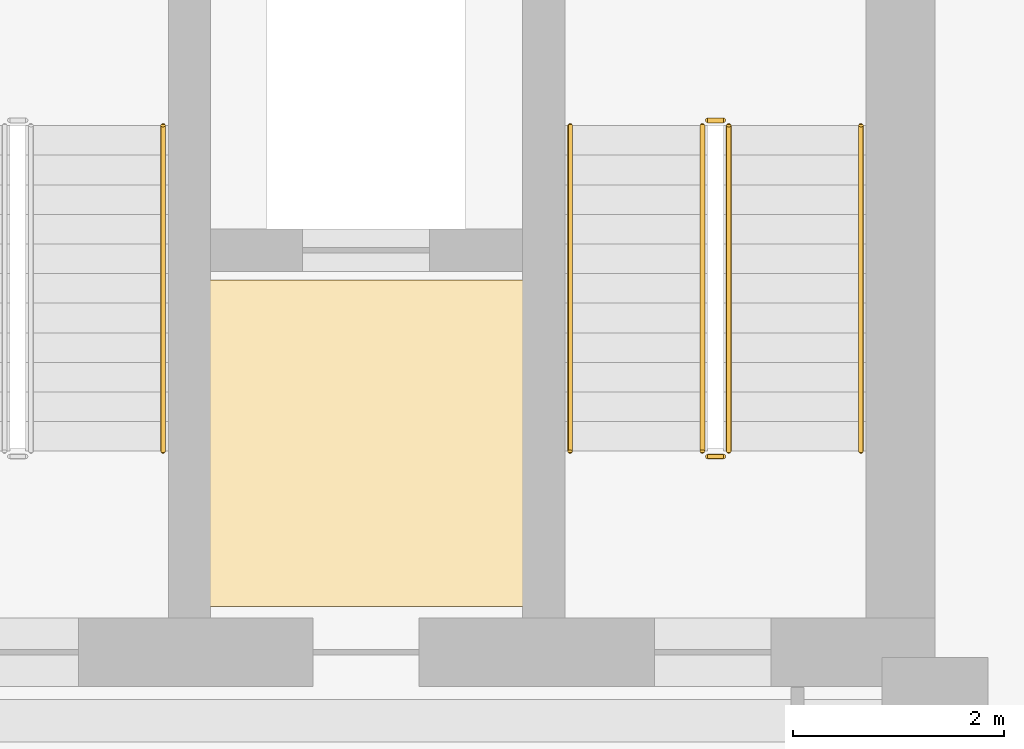
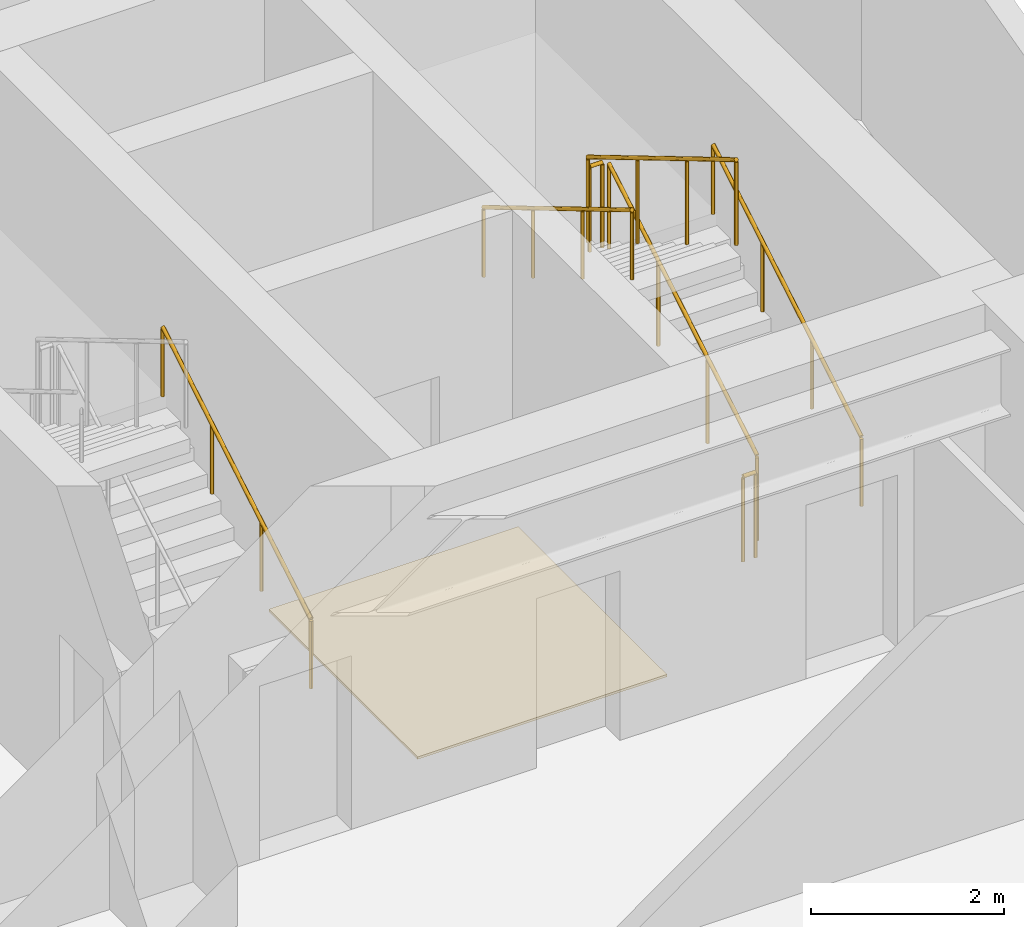
# One storey, part 26 of 26: 7 railings, 1 covering.
"""IFC4 building model written with IfcOpenShell, lengths in metres."""

from ifc_helpers import new_model, si_unit, direction, frame, origin, origin_2d, place, context, subcontext, project, spatial, polyline, circle, outline, extrude, material, layer, layer_set, type_object, element, save


model = new_model("IFC4")

# Units and contexts
model_context = context("Model", 3, precision=1e-05, world=origin(), true_north=direction((0.0, 1.0)))
body_context = subcontext(model_context, "Body", "Model", "MODEL_VIEW")
ifc_project = project(units=[si_unit("LENGTHUNIT", "METRE"), si_unit("AREAUNIT", "SQUARE_METRE"), si_unit("VOLUMEUNIT", "CUBIC_METRE"), si_unit("PLANEANGLEUNIT", "RADIAN"), si_unit("MASSUNIT", "GRAM", prefix="KILO")], contexts=[model_context])

# Site, building, storey
site_placement = place(None, origin())
site = spatial("IfcSite", under=ifc_project, at=site_placement, CompositionType="ELEMENT")
building_placement = place(site_placement, origin())
building = spatial("IfcBuilding", under=site, at=building_placement, Name="Kravanh Interchange Tower", CompositionType="ELEMENT")
storey_placement = place(building_placement, frame((0.0, 0.0, 148.0)))
storey = spatial("IfcBuildingStorey", under=building, at=storey_placement, Name="L35", CompositionType="ELEMENT", Elevation=148.0)

# Covering
ifc_material_1 = material(Name="Cementitious Terrazzo Tile")
ifc_layer_1 = layer(ifc_material_1, 0.030029296875)
ifc_layer_set_1 = layer_set([ifc_layer_1], Name="Honed Terrazzo Lobby Flooring 30mm")
covering_type = type_object("IfcCoveringType", Name="Honed Terrazzo Lobby Flooring 30mm", PredefinedType="FLOORING", material=ifc_layer_set_1)
covering_placement = place(storey_placement, origin())
element("IfcCovering", 1, at=covering_placement, inside=storey, type_object=covering_type, Name="L35 Service Lift Lobby Floor Finish", PredefinedType="FLOORING", context=body_context, shape_type="SweptSolid", body=[
    extrude(outline(polyline([(59.6298828125, 41.52001953125), (62.6201171875, 41.52001953125), (62.6201171875, 38.429931640625), (59.6298828125, 38.429931640625), (59.6298828125, 41.52001953125)])), origin(), (0.0, 0.0, 1.0), 0.030029296875),
])

# Railings
ifc_material_2 = material(Name="Structural Steel S355", Category="steel")
ifc_layer_2 = layer(ifc_material_2, 0.050048828125)
ifc_layer_set_2 = layer_set([ifc_layer_2], Name="Stair Well Guardrail Structural Steel S355 1100mm")
railing_type_1 = type_object("IfcRailingType", Name="Stair Well Guardrail Structural Steel S355 1100mm", PredefinedType="GUARDRAIL", material=ifc_layer_set_2)
railing_1_placement = place(storey_placement, frame((64.550048828125, 39.89990234375, 0.166748046875)))
element("IfcRailing", 2, at=railing_1_placement, inside=storey, type_object=railing_type_1, Name="L35 ST1 stair guard 1", PredefinedType="GUARDRAIL", context=body_context, shape_type="SweptSolid", body=[
    extrude(circle(Radius=0.02392578125, at=origin_2d()), frame((0.0, 0.0, 1.076171875), z_axis=(0.0, 0.859308565015, 0.511457515432), x_axis=(-1.0, 0.0, 0.0)), (0.0, 0.0, 1.0), 3.58447265625),
    extrude(circle(Radius=0.02099609375, at=origin_2d()), origin(), (0.0, 0.0, 1.0), 1.052001953125),
    extrude(circle(Radius=0.02099609375, at=origin_2d()), frame((0.0, 1.026611328125, 0.611083984375)), (0.0, 0.0, 1.0), 1.052001953125),
    extrude(circle(Radius=0.02099609375, at=origin_2d()), frame((0.0, 2.053466796875, 1.22216796875)), (0.0, 0.0, 1.0), 1.052001953125),
    extrude(circle(Radius=0.02099609375, at=origin_2d()), frame((0.0, 3.080078125, 1.833251953125)), (0.0, 0.0, 1.0), 1.052001953125),
])
railing_2_placement = place(storey_placement, frame((64.5, 43.030029296875, 2.0)))
element("IfcRailing", 3, at=railing_2_placement, inside=storey, type_object=railing_type_1, Name="L35 ST1 stair guard 2", PredefinedType="GUARDRAIL", context=body_context, shape_type="SweptSolid", body=[
    extrude(circle(Radius=0.02392578125, at=origin_2d()), frame((0.0, 0.0, 1.076171875), z_axis=(-1.0, 0.0, 0.0), x_axis=(0.0, -1.0, 0.0)), (0.0, 0.0, 1.0), 0.14990234375),
    extrude(circle(Radius=0.02099609375, at=origin_2d()), origin(), (0.0, 0.0, 1.0), 1.052001953125),
    extrude(circle(Radius=0.02099609375, at=origin_2d()), frame((-0.14990234375, 0.0, 0.0)), (0.0, 0.0, 1.0), 1.052001953125),
])
railing_3_placement = place(storey_placement, frame((64.300048828125, 42.97998046875, 2.166748046875)))
element("IfcRailing", 4, at=railing_3_placement, inside=storey, type_object=railing_type_1, Name="L35 ST1 stair guard 3", PredefinedType="GUARDRAIL", context=body_context, shape_type="SweptSolid", body=[
    extrude(circle(Radius=0.02392578125, at=origin_2d()), frame((0.0, 0.0, 1.076171875), z_axis=(0.0, -0.859308565015, 0.511457515432), x_axis=(1.0, 0.0, 0.0)), (0.0, 0.0, 1.0), 3.58447265625),
    extrude(circle(Radius=0.02099609375, at=origin_2d()), origin(), (0.0, 0.0, 1.0), 1.052001953125),
    extrude(circle(Radius=0.02099609375, at=origin_2d()), frame((0.0, -1.026611328125, 0.611083984375)), (0.0, 0.0, 1.0), 1.052001953125),
    extrude(circle(Radius=0.02099609375, at=origin_2d()), frame((0.0, -2.053466796875, 1.22216796875)), (0.0, 0.0, 1.0), 1.052001953125),
    extrude(circle(Radius=0.02099609375, at=origin_2d()), frame((0.0, -3.080078125, 1.833251953125)), (0.0, 0.0, 1.0), 1.052001953125),
])
railing_4_placement = place(storey_placement, frame((64.5, 39.85009765625, 0.0)))
element("IfcRailing", 5, at=railing_4_placement, inside=storey, type_object=railing_type_1, Name="L35 ST1 stair guard 4", PredefinedType="GUARDRAIL", context=body_context, shape_type="SweptSolid", body=[
    extrude(circle(Radius=0.02392578125, at=origin_2d()), frame((0.0, 0.0, 1.076171875), z_axis=(-1.0, 0.0, 0.0), x_axis=(0.0, -1.0, 0.0)), (0.0, 0.0, 1.0), 0.14990234375),
    extrude(circle(Radius=0.02099609375, at=origin_2d()), origin(), (0.0, 0.0, 1.0), 1.052001953125),
    extrude(circle(Radius=0.02099609375, at=origin_2d()), frame((-0.14990234375, 0.0, 0.0)), (0.0, 0.0, 1.0), 1.052001953125),
])
ifc_material_3 = material(Name="Stainless Steel 304", Category="steel")
ifc_layer_3 = layer(ifc_material_3, 0.044921875)
ifc_layer_set_3 = layer_set([ifc_layer_3], Name="Tubular Stair Handrail Stainless 304 900mm")
railing_type_2 = type_object("IfcRailingType", Name="Tubular Stair Handrail Stainless 304 900mm", PredefinedType="HANDRAIL", material=ifc_layer_set_3)
railing_5_placement = place(storey_placement, frame((65.800048828125, 39.89990234375, 0.166748046875)))
element("IfcRailing", 6, at=railing_5_placement, inside=storey, type_object=railing_type_2, Name="L35 ST1 stair handrail 1", PredefinedType="HANDRAIL", context=body_context, shape_type="SweptSolid", body=[
    extrude(circle(Radius=0.02392578125, at=origin_2d()), frame((0.0, 0.0, 0.8759765625), z_axis=(0.0, 0.859308565015, 0.511457515432), x_axis=(-1.0, 0.0, 0.0)), (0.0, 0.0, 1.0), 3.58447265625),
    extrude(circle(Radius=0.02099609375, at=origin_2d()), origin(), (0.0, 0.0, 1.0), 0.851806640625),
    extrude(circle(Radius=0.02099609375, at=origin_2d()), frame((0.0, 1.026611328125, 0.611083984375)), (0.0, 0.0, 1.0), 0.851806640625),
    extrude(circle(Radius=0.02099609375, at=origin_2d()), frame((0.0, 2.053466796875, 1.22216796875)), (0.0, 0.0, 1.0), 0.851806640625),
    extrude(circle(Radius=0.02099609375, at=origin_2d()), frame((0.0, 3.080078125, 1.833251953125)), (0.0, 0.0, 1.0), 0.851806640625),
])
railing_6_placement = place(storey_placement, frame((63.050048828125, 42.97998046875, 2.166748046875)))
element("IfcRailing", 7, at=railing_6_placement, inside=storey, type_object=railing_type_2, Name="L35 ST1 stair handrail 2", PredefinedType="HANDRAIL", context=body_context, shape_type="SweptSolid", body=[
    extrude(circle(Radius=0.02392578125, at=origin_2d()), frame((0.0, 0.0, 0.8759765625), z_axis=(0.0, -0.859308565015, 0.511457515432), x_axis=(1.0, 0.0, 0.0)), (0.0, 0.0, 1.0), 3.58447265625),
    extrude(circle(Radius=0.02099609375, at=origin_2d()), origin(), (0.0, 0.0, 1.0), 0.851806640625),
    extrude(circle(Radius=0.02099609375, at=origin_2d()), frame((0.0, -1.026611328125, 0.611083984375)), (0.0, 0.0, 1.0), 0.851806640625),
    extrude(circle(Radius=0.02099609375, at=origin_2d()), frame((0.0, -2.053466796875, 1.22216796875)), (0.0, 0.0, 1.0), 0.851806640625),
    extrude(circle(Radius=0.02099609375, at=origin_2d()), frame((0.0, -3.080078125, 1.833251953125)), (0.0, 0.0, 1.0), 0.851806640625),
])
railing_7_placement = place(storey_placement, frame((59.199951171875, 39.89990234375, 0.166748046875)))
element("IfcRailing", 8, at=railing_7_placement, inside=storey, type_object=railing_type_2, Name="L35 ST2 stair handrail 1", PredefinedType="HANDRAIL", context=body_context, shape_type="SweptSolid", body=[
    extrude(circle(Radius=0.02392578125, at=origin_2d()), frame((0.0, 0.0, 0.8759765625), z_axis=(0.0, 0.859308565015, 0.511457515432), x_axis=(-1.0, 0.0, 0.0)), (0.0, 0.0, 1.0), 3.58447265625),
    extrude(circle(Radius=0.02099609375, at=origin_2d()), origin(), (0.0, 0.0, 1.0), 0.851806640625),
    extrude(circle(Radius=0.02099609375, at=origin_2d()), frame((0.0, 1.026611328125, 0.611083984375)), (0.0, 0.0, 1.0), 0.851806640625),
    extrude(circle(Radius=0.02099609375, at=origin_2d()), frame((0.0, 2.053466796875, 1.22216796875)), (0.0, 0.0, 1.0), 0.851806640625),
    extrude(circle(Radius=0.02099609375, at=origin_2d()), frame((0.0, 3.080078125, 1.833251953125)), (0.0, 0.0, 1.0), 0.851806640625),
])

save(model, "model.ifc")
